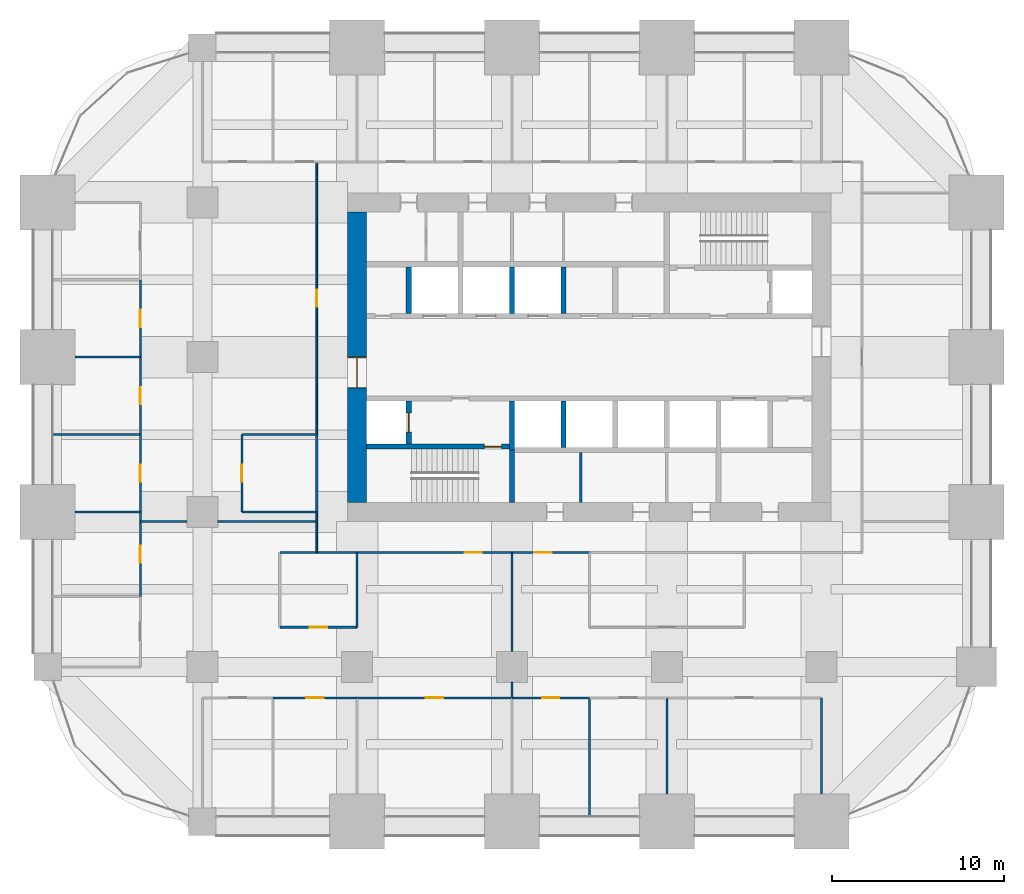
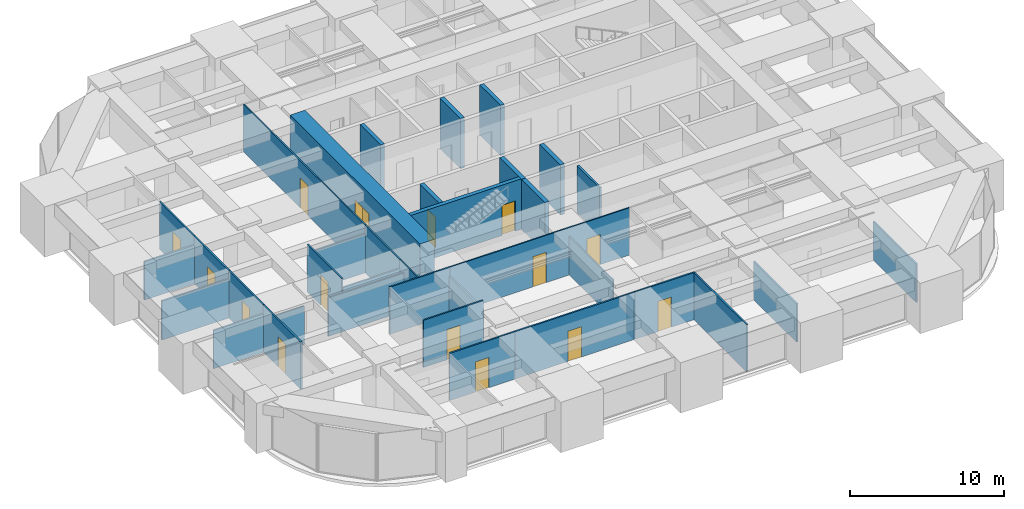
# One storey, part 31 of 36: 37 walls, 15 doors, 15 openings.
"""IFC4 building model written with IfcOpenShell, lengths in metres."""

from ifc_helpers import new_model, si_unit, direction, frame, frame_2d, origin, place, context, subcontext, project, spatial, rectangle, extrude, material, layer, layer_set, type_object, element, fill, save


model = new_model("IFC4")

# Units and contexts
model_context = context("Model", 3, precision=1e-05, world=origin(), true_north=direction((0.0, 1.0)))
body_context = subcontext(model_context, "Body", "Model", "MODEL_VIEW")
ifc_project = project(units=[si_unit("LENGTHUNIT", "METRE"), si_unit("AREAUNIT", "SQUARE_METRE"), si_unit("VOLUMEUNIT", "CUBIC_METRE"), si_unit("PLANEANGLEUNIT", "RADIAN"), si_unit("MASSUNIT", "GRAM", prefix="KILO")], contexts=[model_context])

# Site, building, storey
site_placement = place(None, origin())
site = spatial("IfcSite", under=ifc_project, at=site_placement, CompositionType="ELEMENT")
building_placement = place(site_placement, origin())
building = spatial("IfcBuilding", under=site, at=building_placement, Name="Zorevar Civic Tower", CompositionType="ELEMENT")
storey_placement = place(building_placement, frame((0.0, 0.0, 166.199951171875)))
storey = spatial("IfcBuildingStorey", under=building, at=storey_placement, Name="L40", CompositionType="ELEMENT", Elevation=166.199951171875)

# Wall, opening, door
ifc_material_1 = material(Name="Concrete C50/60", Category="concrete")
ifc_layer_1 = layer(ifc_material_1, 1.10009765625)
ifc_layer_set_1 = layer_set([ifc_layer_1], Name="Core wall 1100")
wall_type_1 = type_object("IfcWallType", Name="Core wall 1100", PredefinedType="SHEAR", material=ifc_layer_set_1)
wall_1_placement = place(storey_placement, frame((18.0, 35.449951171875, 0.0), z_axis=(0.0, 0.0, 1.0), x_axis=(0.0, -1.0, 0.0)))
wall_1 = element("IfcWall", 1, at=wall_1_placement, inside=storey, type_object=wall_type_1, Name="Core wall W L40", PredefinedType="SHEAR", context=body_context, shape_type="SweptSolid", body=[
    extrude(rectangle(XDim=16.89990234375, YDim=1.10009765625, at=frame_2d((8.449951171875, 0.0))), origin(), (0.0, 0.0, 1.0), 4.0),
])
opening_1_placement = place(wall_1_placement, frame((8.449951171875, 0.0, 0.0)))
opening_1 = element("IfcOpeningElement", 2, at=opening_1_placement, cuts=wall_1, Name="Opening L40.01", PredefinedType="OPENING", context=body_context, shape_type="SweptSolid", body=[
    extrude(rectangle(XDim=1.800048828125, YDim=2.39990234375, at=frame_2d((0.89990234375, 1.199951171875))), frame((0.0, 0.56005859375, 0.0), z_axis=(0.0, -1.0, 0.0), x_axis=(1.0, 0.0, 0.0)), (0.0, 0.0, 1.0), 1.1201171875),
])
ifc_material_2 = material(Name="Steel door set", Category="steel")
door_type_1 = type_object("IfcDoorType", Name="Fire door FD2 1800x2400", OperationType="DOUBLE_DOOR_DOUBLE_SWING", PredefinedType="DOOR", material=ifc_material_2)
door_1_placement = place(opening_1_placement, origin())
door_1 = element("IfcDoor", 3, at=door_1_placement, inside=storey, type_object=door_type_1, Name="Door L40 00", OperationType="DOUBLE_DOOR_DOUBLE_SWING", OverallHeight=2.39990234375, OverallWidth=1.800048828125, PredefinedType="DOOR", context=body_context, shape_type="SweptSolid", body=[
    extrude(rectangle(XDim=1.800048828125, YDim=2.39990234375, at=frame_2d((0.89990234375, 1.199951171875))), frame((0.0, 0.030029296875, 0.0), z_axis=(0.0, -1.0, 0.0), x_axis=(1.0, 0.0, 0.0)), (0.0, 0.0, 1.0), 0.06005859375),
    extrude(rectangle(XDim=0.04, YDim=2.39990234375, at=frame_2d((0.02001953125, 1.199951171875))), frame((0.0, 0.5498046875, 0.0), z_axis=(0.0, -1.0, 0.0), x_axis=(1.0, 0.0, 0.0)), (0.0, 0.0, 1.0), 1.099609375),
    extrude(rectangle(XDim=0.04, YDim=2.39990234375, at=frame_2d((1.780029296875, 1.199951171875))), frame((0.0, 0.5498046875, 0.0), z_axis=(0.0, -1.0, 0.0), x_axis=(1.0, 0.0, 0.0)), (0.0, 0.0, 1.0), 1.099609375),
    extrude(rectangle(XDim=1.800048828125, YDim=0.04, at=frame_2d((0.89990234375, 2.3798828125))), frame((0.0, 0.5498046875, 0.0), z_axis=(0.0, -1.0, 0.0), x_axis=(1.0, 0.0, 0.0)), (0.0, 0.0, 1.0), 1.099609375),
])
fill(opening_1, door_1)

# Wall, openings, doors
ifc_material_3 = material(Name="Laminated glass in black aluminium frame", Category="aluminium")
ifc_layer_2 = layer(ifc_material_3, 0.10009765625)
ifc_layer_set_2 = layer_set([ifc_layer_2], Name="Glazed partition 100")
wall_type_2 = type_object("IfcWallType", Name="Glazed partition 100", PredefinedType="PARTITIONING", material=ifc_layer_set_2)
wall_2_placement = place(storey_placement, frame((18.0, 15.64990234375, 0.0), z_axis=(0.0, 0.0, 1.0), x_axis=(1.0, 0.0, 0.0)))
wall_2 = element("IfcWall", 4, at=wall_2_placement, inside=storey, type_object=wall_type_2, Name="Glazed partition 100 L40", PredefinedType="PARTITIONING", context=body_context, shape_type="SweptSolid", body=[
    extrude(rectangle(XDim=13.5, YDim=0.10009765625, at=frame_2d((6.75, 0.0))), origin(), (0.0, 0.0, 1.0), 3.75),
])
opening_2_placement = place(wall_2_placement, frame((6.25, 0.0, 0.0)))
opening_2 = element("IfcOpeningElement", 5, at=opening_2_placement, cuts=wall_2, Name="Opening L40.25", PredefinedType="OPENING", context=body_context, shape_type="SweptSolid", body=[
    extrude(rectangle(XDim=1.0, YDim=2.39990234375, at=frame_2d((0.5, 1.199951171875))), frame((0.0, 0.06005859375, 0.0), z_axis=(0.0, -1.0, 0.0), x_axis=(1.0, 0.0, 0.0)), (0.0, 0.0, 1.0), 0.1201171875),
])
opening_3_placement = place(wall_2_placement, frame((10.300048828125, 0.0, 0.0)))
opening_3 = element("IfcOpeningElement", 6, at=opening_3_placement, cuts=wall_2, Name="Opening L40.26", PredefinedType="OPENING", context=body_context, shape_type="SweptSolid", body=[
    extrude(rectangle(XDim=1.0, YDim=2.39990234375, at=frame_2d((0.5, 1.199951171875))), frame((0.0, 0.06005859375, 0.0), z_axis=(0.0, -1.0, 0.0), x_axis=(1.0, 0.0, 0.0)), (0.0, 0.0, 1.0), 0.1201171875),
])
ifc_material_4 = material(Name="Timber door set", Category="wood")
door_type_2 = type_object("IfcDoorType", Name="Glazed door GD1 1000x2400", OperationType="SINGLE_SWING_LEFT", PredefinedType="DOOR", material=ifc_material_4)
door_2_placement = place(opening_2_placement, origin())
door_2 = element("IfcDoor", 7, at=door_2_placement, inside=storey, type_object=door_type_2, Name="Door L40 D1", OperationType="SINGLE_SWING_RIGHT", OverallHeight=2.39990234375, OverallWidth=1.0, PredefinedType="DOOR", context=body_context, shape_type="SweptSolid", body=[
    extrude(rectangle(XDim=1.0, YDim=2.39990234375, at=frame_2d((0.5, 1.199951171875))), frame((0.0, 0.02001953125, 0.0), z_axis=(0.0, -1.0, 0.0), x_axis=(1.0, 0.0, 0.0)), (0.0, 0.0, 1.0), 0.0400390625),
])
fill(opening_2, door_2)
door_3_placement = place(opening_3_placement, origin())
door_3 = element("IfcDoor", 8, at=door_3_placement, inside=storey, type_object=door_type_2, Name="Door L40 D2", OperationType="SINGLE_SWING_RIGHT", OverallHeight=2.39990234375, OverallWidth=1.0, PredefinedType="DOOR", context=body_context, shape_type="SweptSolid", body=[
    extrude(rectangle(XDim=1.0, YDim=2.39990234375, at=frame_2d((0.5, 1.199951171875))), frame((0.0, 0.02001953125, 0.0), z_axis=(0.0, -1.0, 0.0), x_axis=(1.0, 0.0, 0.0)), (0.0, 0.0, 1.0), 0.0400390625),
])
fill(opening_3, door_3)

# Walls
wall_3_placement = place(storey_placement, frame((5.389892578125, 17.449951171875, 0.0), z_axis=(0.0, 0.0, 1.0), x_axis=(1.0, 0.0, 0.0)))
element("IfcWall", 9, at=wall_3_placement, inside=storey, type_object=wall_type_2, Name="Glazed partition 100 L40", PredefinedType="PARTITIONING", context=body_context, shape_type="SweptSolid", body=[
    extrude(rectangle(XDim=2.710205078125, YDim=0.10009765625, at=frame_2d((1.35498046875, 0.0))), origin(), (0.0, 0.0, 1.0), 3.050048828125),
])
wall_4_placement = place(storey_placement, frame((9.89990234375, 17.449951171875, 0.0), z_axis=(0.0, 0.0, 1.0), x_axis=(1.0, 0.0, 0.0)))
element("IfcWall", 10, at=wall_4_placement, inside=storey, type_object=wall_type_2, Name="Glazed partition 100 L40", PredefinedType="PARTITIONING", context=body_context, shape_type="SweptSolid", body=[
    extrude(rectangle(XDim=5.75, YDim=0.10009765625, at=frame_2d((2.875, 0.0))), origin(), (0.0, 0.0, 1.0), 3.050048828125),
])
wall_5_placement = place(storey_placement, frame((15.64990234375, 15.64990234375, 0.0), z_axis=(0.0, 0.0, 1.0), x_axis=(0.0, 1.0, 0.0)))
element("IfcWall", 11, at=wall_5_placement, inside=storey, type_object=wall_type_2, Name="Glazed partition 100 L40", PredefinedType="PARTITIONING", context=body_context, shape_type="SweptSolid", body=[
    extrude(rectangle(XDim=2.35009765625, YDim=0.10009765625, at=frame_2d((1.175048828125, 0.0))), origin(), (0.0, 0.0, 1.0), 3.75),
])

# Wall, opening, door
wall_6_placement = place(storey_placement, frame((15.64990234375, 22.5, 0.0), z_axis=(0.0, 0.0, 1.0), x_axis=(0.0, 1.0, 0.0)))
wall_6 = element("IfcWall", 12, at=wall_6_placement, inside=storey, type_object=wall_type_2, Name="Glazed partition 100 L40", PredefinedType="PARTITIONING", context=body_context, shape_type="SweptSolid", body=[
    extrude(rectangle(XDim=15.85009765625, YDim=0.10009765625, at=frame_2d((7.925048828125, 0.0))), origin(), (0.0, 0.0, 1.0), 3.75),
])
opening_4_placement = place(wall_6_placement, frame((7.425048828125, 0.0, 0.0)))
opening_4 = element("IfcOpeningElement", 13, at=opening_4_placement, cuts=wall_6, Name="Opening L40.43", PredefinedType="OPENING", context=body_context, shape_type="SweptSolid", body=[
    extrude(rectangle(XDim=1.0, YDim=2.39990234375, at=frame_2d((0.5, 1.199951171875))), frame((0.0, 0.06005859375, 0.0), z_axis=(0.0, -1.0, 0.0), x_axis=(1.0, 0.0, 0.0)), (0.0, 0.0, 1.0), 0.1201171875),
])
door_4_placement = place(opening_4_placement, origin())
door_4 = element("IfcDoor", 14, at=door_4_placement, inside=storey, type_object=door_type_2, Name="Door L40 D1", OperationType="SINGLE_SWING_RIGHT", OverallHeight=2.39990234375, OverallWidth=1.0, PredefinedType="DOOR", context=body_context, shape_type="SweptSolid", body=[
    extrude(rectangle(XDim=1.0, YDim=2.39990234375, at=frame_2d((0.5, 1.199951171875))), frame((0.0, 0.02001953125, 0.0), z_axis=(0.0, -1.0, 0.0), x_axis=(1.0, 0.0, 0.0)), (0.0, 0.0, 1.0), 0.0400390625),
])
fill(opening_4, door_4)

# Walls
wall_7_placement = place(storey_placement, frame((27.0, 7.199951171875, 0.0), z_axis=(0.0, 0.0, 1.0), x_axis=(0.0, 1.0, 0.0)))
element("IfcWall", 15, at=wall_7_placement, inside=storey, type_object=wall_type_2, Name="Glazed partition 100 L40", PredefinedType="PARTITIONING", context=body_context, shape_type="SweptSolid", body=[
    extrude(rectangle(XDim=0.900146484375, YDim=0.10009765625, at=frame_2d((0.4501953125, 0.0))), origin(), (0.0, 0.0, 1.0), 3.050048828125),
])
wall_8_placement = place(storey_placement, frame((27.0, 9.89990234375, 0.0), z_axis=(0.0, 0.0, 1.0), x_axis=(0.0, 1.0, 0.0)))
element("IfcWall", 16, at=wall_8_placement, inside=storey, type_object=wall_type_2, Name="Glazed partition 100 L40", PredefinedType="PARTITIONING", context=body_context, shape_type="SweptSolid", body=[
    extrude(rectangle(XDim=5.75, YDim=0.10009765625, at=frame_2d((2.875, 0.0))), origin(), (0.0, 0.0, 1.0), 3.050048828125),
])

# Wall, opening, door
ifc_material_5 = material(Name="Concrete C40/50", Category="concrete")
ifc_layer_3 = layer(ifc_material_5, 0.300048828125)
ifc_layer_set_3 = layer_set([ifc_layer_3], Name="Inner core wall 300")
wall_type_3 = type_object("IfcWallType", Name="Inner core wall 300", PredefinedType="SHEAR", material=ifc_layer_set_3)
wall_9_placement = place(storey_placement, frame((18.550048828125, 21.800048828125, 0.0), z_axis=(0.0, 0.0, 1.0), x_axis=(1.0, 0.0, 0.0)))
wall_9 = element("IfcWall", 17, at=wall_9_placement, inside=storey, type_object=wall_type_3, Name="Inner core wall S00 L40", PredefinedType="SHEAR", context=body_context, shape_type="SweptSolid", body=[
    extrude(rectangle(XDim=8.300048828125, YDim=0.300048828125, at=frame_2d((4.14990234375, 0.0))), origin(), (0.0, 0.0, 1.0), 4.0),
])
opening_5_placement = place(wall_9_placement, frame((6.85009765625, 0.0, 0.0)))
opening_5 = element("IfcOpeningElement", 18, at=opening_5_placement, cuts=wall_9, Name="Opening L40.11", PredefinedType="OPENING", context=body_context, shape_type="SweptSolid", body=[
    extrude(rectangle(XDim=1.0, YDim=2.39990234375, at=frame_2d((0.5, 1.199951171875))), frame((0.0, 0.159912109375, 0.0), z_axis=(0.0, -1.0, 0.0), x_axis=(1.0, 0.0, 0.0)), (0.0, 0.0, 1.0), 0.320068359375),
])
ifc_material_6 = material(Name="Steel door set", Category="steel")
door_type_3 = type_object("IfcDoorType", Name="Fire door FD1 1000x2400", OperationType="SINGLE_SWING_LEFT", PredefinedType="DOOR", material=ifc_material_6)
door_5_placement = place(opening_5_placement, origin())
door_5 = element("IfcDoor", 19, at=door_5_placement, inside=storey, type_object=door_type_3, Name="Door L40 10", OperationType="SINGLE_SWING_RIGHT", OverallHeight=2.39990234375, OverallWidth=1.0, PredefinedType="DOOR", context=body_context, shape_type="SweptSolid", body=[
    extrude(rectangle(XDim=1.0, YDim=2.39990234375, at=frame_2d((0.5, 1.199951171875))), frame((0.0, 0.030029296875, 0.0), z_axis=(0.0, -1.0, 0.0), x_axis=(1.0, 0.0, 0.0)), (0.0, 0.0, 1.0), 0.06005859375),
])
fill(opening_5, door_5)

# Wall
wall_10_placement = place(storey_placement, frame((27.0, 18.550048828125, 0.0), z_axis=(0.0, 0.0, 1.0), x_axis=(0.0, 1.0, 0.0)))
element("IfcWall", 20, at=wall_10_placement, inside=storey, type_object=wall_type_3, Name="Inner core wall S01 L40", PredefinedType="SHEAR", context=body_context, shape_type="SweptSolid", body=[
    extrude(rectangle(XDim=3.050048828125, YDim=0.300048828125, at=frame_2d((1.52490234375, 0.0))), origin(), (0.0, 0.0, 1.0), 4.0),
])

# Wall, opening, door
wall_11_placement = place(storey_placement, frame((21.0, 21.949951171875, 0.0), z_axis=(0.0, 0.0, 1.0), x_axis=(0.0, 1.0, 0.0)))
wall_11 = element("IfcWall", 21, at=wall_11_placement, inside=storey, type_object=wall_type_3, Name="Inner core wall S02 L40", PredefinedType="SHEAR", context=body_context, shape_type="SweptSolid", body=[
    extrude(rectangle(XDim=2.5, YDim=0.300048828125, at=frame_2d((1.25, 0.0))), origin(), (0.0, 0.0, 1.0), 4.0),
])
opening_6_placement = place(wall_11_placement, frame((0.699951171875, 0.0, 0.0)))
opening_6 = element("IfcOpeningElement", 22, at=opening_6_placement, cuts=wall_11, Name="Opening L40.FL1", PredefinedType="OPENING", context=body_context, shape_type="SweptSolid", body=[
    extrude(rectangle(XDim=1.10009765625, YDim=2.39990234375, at=frame_2d((0.550048828125, 1.199951171875))), frame((0.0, 0.159912109375, 0.0), z_axis=(0.0, -1.0, 0.0), x_axis=(1.0, 0.0, 0.0)), (0.0, 0.0, 1.0), 0.320068359375),
])
ifc_material_7 = material(Name="Steel door set", Category="steel")
door_type_4 = type_object("IfcDoorType", Name="Firefighting lift landing door LD3 1100x2400", OperationType="DOUBLE_DOOR_SLIDING", PredefinedType="DOOR", material=ifc_material_7)
door_6_placement = place(opening_6_placement, origin())
door_6 = element("IfcDoor", 23, at=door_6_placement, inside=storey, type_object=door_type_4, Name="Landing door FL1 L40", OperationType="DOUBLE_DOOR_SLIDING", OverallHeight=2.39990234375, OverallWidth=1.10009765625, PredefinedType="DOOR", context=body_context, shape_type="SweptSolid", body=[
    extrude(rectangle(XDim=1.10009765625, YDim=2.39990234375, at=frame_2d((0.550048828125, 1.199951171875))), frame((0.0, 0.030029296875, 0.0), z_axis=(0.0, -1.0, 0.0), x_axis=(1.0, 0.0, 0.0)), (0.0, 0.0, 1.0), 0.06005859375),
])
fill(opening_6, door_6)

# Walls
for number, where, z_axis, x_axis, name in (
    (24, (30.0, 21.75, 0.0), (0.0, 0.0, 1.0), (0.0, 1.0, 0.0), "Inner core wall S05 L40"),
    (25, (30.0, 29.550048828125, 0.0), (0.0, 0.0, 1.0), (0.0, 1.0, 0.0), "Inner core wall N06 L40"),
    (26, (27.0, 29.550048828125, 0.0), (0.0, 0.0, 1.0), (0.0, 1.0, 0.0), "Inner core wall N07 L40"),
    (27, (21.0, 29.550048828125, 0.0), (0.0, 0.0, 1.0), (0.0, 1.0, 0.0), "Inner core wall N09 L40"),
):
    element("IfcWall", number, at=place(storey_placement, frame(where, z_axis=z_axis, x_axis=x_axis)), inside=storey, type_object=wall_type_3, Name=name, PredefinedType="SHEAR", context=body_context, shape_type="SweptSolid", body=[
        extrude(rectangle(XDim=2.699951171875, YDim=0.300048828125, at=frame_2d((1.35009765625, 0.0))), origin(), (0.0, 0.0, 1.0), 4.0),
    ])
wall_12_placement = place(storey_placement, frame((27.0, 21.60009765625, 0.0), z_axis=(0.0, 0.0, 1.0), x_axis=(0.0, 1.0, 0.0)))
element("IfcWall", 28, at=wall_12_placement, inside=storey, type_object=wall_type_3, Name="Inner core wall S10 L40", PredefinedType="SHEAR", context=body_context, shape_type="SweptSolid", body=[
    extrude(rectangle(XDim=2.849853515625, YDim=0.300048828125, at=frame_2d((1.4248046875, 0.0))), origin(), (0.0, 0.0, 1.0), 4.0),
])

# Wall, opening, door
ifc_material_8 = material(Name="Gypsum board on steel studs", Category="steel")
ifc_layer_4 = layer(ifc_material_8, 0.1201171875)
ifc_layer_set_4 = layer_set([ifc_layer_4], Name="Partition 120")
wall_type_4 = type_object("IfcWallType", Name="Partition 120", PredefinedType="PARTITIONING", material=ifc_layer_set_4)
wall_13_placement = place(storey_placement, frame((13.10009765625, 7.199951171875, 0.0), z_axis=(0.0, 0.0, 1.0), x_axis=(1.0, 0.0, 0.0)))
wall_13 = element("IfcWall", 29, at=wall_13_placement, inside=storey, type_object=wall_type_4, Name="Partition 120 L40", PredefinedType="PARTITIONING", context=body_context, shape_type="SweptSolid", body=[
    extrude(rectangle(XDim=4.89990234375, YDim=0.1201171875, at=frame_2d((2.449951171875, 0.0))), origin(), (0.0, 0.0, 1.0), 3.75),
])
opening_7_placement = place(wall_13_placement, frame((1.949951171875, 0.0, 0.0)))
opening_7 = element("IfcOpeningElement", 30, at=opening_7_placement, cuts=wall_13, Name="Opening L40.18", PredefinedType="OPENING", context=body_context, shape_type="SweptSolid", body=[
    extrude(rectangle(XDim=1.0, YDim=2.39990234375, at=frame_2d((0.5, 1.199951171875))), frame((0.0, 0.070068359375, 0.0), z_axis=(0.0, -1.0, 0.0), x_axis=(1.0, 0.0, 0.0)), (0.0, 0.0, 1.0), 0.14013671875),
])
ifc_material_9 = material(Name="Timber door set", Category="wood")
door_type_5 = type_object("IfcDoorType", Name="Door D1 1000x2400", OperationType="SINGLE_SWING_LEFT", PredefinedType="DOOR", material=ifc_material_9)
door_7_placement = place(opening_7_placement, origin())
door_7 = element("IfcDoor", 31, at=door_7_placement, inside=storey, type_object=door_type_5, Name="Door L40 D1", OperationType="SINGLE_SWING_LEFT", OverallHeight=2.39990234375, OverallWidth=1.0, PredefinedType="DOOR", context=body_context, shape_type="SweptSolid", body=[
    extrude(rectangle(XDim=1.0, YDim=2.39990234375, at=frame_2d((0.5, 1.199951171875))), frame((0.0, 0.02490234375, 0.0), z_axis=(0.0, -1.0, 0.0), x_axis=(1.0, 0.0, 0.0)), (0.0, 0.0, 1.0), 0.050048828125),
])
fill(opening_7, door_7)

wall_14_placement = place(storey_placement, frame((18.0, 7.199951171875, 0.0), z_axis=(0.0, 0.0, 1.0), x_axis=(1.0, 0.0, 0.0)))
wall_14 = element("IfcWall", 32, at=wall_14_placement, inside=storey, type_object=wall_type_4, Name="Partition 120 L40", PredefinedType="PARTITIONING", context=body_context, shape_type="SweptSolid", body=[
    extrude(rectangle(XDim=9.0, YDim=0.1201171875, at=frame_2d((4.5, 0.0))), origin(), (0.0, 0.0, 1.0), 3.75),
])
opening_8_placement = place(wall_14_placement, frame((4.0, 0.0, 0.0)))
opening_8 = element("IfcOpeningElement", 33, at=opening_8_placement, cuts=wall_14, Name="Opening L40.19", PredefinedType="OPENING", context=body_context, shape_type="SweptSolid", body=[
    extrude(rectangle(XDim=1.0, YDim=2.39990234375, at=frame_2d((0.5, 1.199951171875))), frame((0.0, 0.070068359375, 0.0), z_axis=(0.0, -1.0, 0.0), x_axis=(1.0, 0.0, 0.0)), (0.0, 0.0, 1.0), 0.14013671875),
])
door_8_placement = place(opening_8_placement, origin())
door_8 = element("IfcDoor", 34, at=door_8_placement, inside=storey, type_object=door_type_5, Name="Door L40 D1", OperationType="SINGLE_SWING_LEFT", OverallHeight=2.39990234375, OverallWidth=1.0, PredefinedType="DOOR", context=body_context, shape_type="SweptSolid", body=[
    extrude(rectangle(XDim=1.0, YDim=2.39990234375, at=frame_2d((0.5, 1.199951171875))), frame((0.0, 0.02490234375, 0.0), z_axis=(0.0, -1.0, 0.0), x_axis=(1.0, 0.0, 0.0)), (0.0, 0.0, 1.0), 0.050048828125),
])
fill(opening_8, door_8)

wall_15_placement = place(storey_placement, frame((27.0, 7.199951171875, 0.0), z_axis=(0.0, 0.0, 1.0), x_axis=(1.0, 0.0, 0.0)))
wall_15 = element("IfcWall", 35, at=wall_15_placement, inside=storey, type_object=wall_type_4, Name="Partition 120 L40", PredefinedType="PARTITIONING", context=body_context, shape_type="SweptSolid", body=[
    extrude(rectangle(XDim=4.5, YDim=0.1201171875, at=frame_2d((2.25, 0.0))), origin(), (0.0, 0.0, 1.0), 3.75),
])
opening_9_placement = place(wall_15_placement, frame((1.75, 0.0, 0.0)))
opening_9 = element("IfcOpeningElement", 36, at=opening_9_placement, cuts=wall_15, Name="Opening L40.20", PredefinedType="OPENING", context=body_context, shape_type="SweptSolid", body=[
    extrude(rectangle(XDim=1.0, YDim=2.39990234375, at=frame_2d((0.5, 1.199951171875))), frame((0.0, 0.070068359375, 0.0), z_axis=(0.0, -1.0, 0.0), x_axis=(1.0, 0.0, 0.0)), (0.0, 0.0, 1.0), 0.14013671875),
])
door_9_placement = place(opening_9_placement, origin())
door_9 = element("IfcDoor", 37, at=door_9_placement, inside=storey, type_object=door_type_5, Name="Door L40 D1", OperationType="SINGLE_SWING_RIGHT", OverallHeight=2.39990234375, OverallWidth=1.0, PredefinedType="DOOR", context=body_context, shape_type="SweptSolid", body=[
    extrude(rectangle(XDim=1.0, YDim=2.39990234375, at=frame_2d((0.5, 1.199951171875))), frame((0.0, 0.02490234375, 0.0), z_axis=(0.0, -1.0, 0.0), x_axis=(1.0, 0.0, 0.0)), (0.0, 0.0, 1.0), 0.050048828125),
])
fill(opening_9, door_9)

wall_16_placement = place(storey_placement, frame((13.5, 11.300048828125, 0.0), z_axis=(0.0, 0.0, 1.0), x_axis=(1.0, 0.0, 0.0)))
wall_16 = element("IfcWall", 38, at=wall_16_placement, inside=storey, type_object=wall_type_4, Name="Partition 120 L40", PredefinedType="PARTITIONING", context=body_context, shape_type="SweptSolid", body=[
    extrude(rectangle(XDim=4.5, YDim=0.1201171875, at=frame_2d((2.25, 0.0))), origin(), (0.0, 0.0, 1.0), 3.75),
])
opening_10_placement = place(wall_16_placement, frame((1.75, 0.0, 0.0)))
opening_10 = element("IfcOpeningElement", 39, at=opening_10_placement, cuts=wall_16, Name="Opening L40.23", PredefinedType="OPENING", context=body_context, shape_type="SweptSolid", body=[
    extrude(rectangle(XDim=1.0, YDim=2.39990234375, at=frame_2d((0.5, 1.199951171875))), frame((0.0, 0.070068359375, 0.0), z_axis=(0.0, -1.0, 0.0), x_axis=(1.0, 0.0, 0.0)), (0.0, 0.0, 1.0), 0.14013671875),
])
door_10_placement = place(opening_10_placement, origin())
door_10 = element("IfcDoor", 40, at=door_10_placement, inside=storey, type_object=door_type_5, Name="Door L40 D1", OperationType="SINGLE_SWING_LEFT", OverallHeight=2.39990234375, OverallWidth=1.0, PredefinedType="DOOR", context=body_context, shape_type="SweptSolid", body=[
    extrude(rectangle(XDim=1.0, YDim=2.39990234375, at=frame_2d((0.5, 1.199951171875))), frame((0.0, 0.02490234375, 0.0), z_axis=(0.0, -1.0, 0.0), x_axis=(1.0, 0.0, 0.0)), (0.0, 0.0, 1.0), 0.050048828125),
])
fill(opening_10, door_10)

# Walls
wall_17_placement = place(storey_placement, frame((13.5, 15.64990234375, 0.0), z_axis=(0.0, 0.0, 1.0), x_axis=(1.0, 0.0, 0.0)))
element("IfcWall", 41, at=wall_17_placement, inside=storey, type_object=wall_type_4, Name="Partition 120 L40", PredefinedType="PARTITIONING", context=body_context, shape_type="SweptSolid", body=[
    extrude(rectangle(XDim=4.5, YDim=0.1201171875, at=frame_2d((2.25, 0.0))), origin(), (0.0, 0.0, 1.0), 3.75),
])
wall_18_placement = place(storey_placement, frame((1.60009765625, 18.0, 0.0), z_axis=(0.0, 0.0, 1.0), x_axis=(1.0, 0.0, 0.0)))
element("IfcWall", 42, at=wall_18_placement, inside=storey, type_object=wall_type_4, Name="Partition 120 L40", PredefinedType="PARTITIONING", context=body_context, shape_type="SweptSolid", body=[
    extrude(rectangle(XDim=3.7998046875, YDim=0.1201171875, at=frame_2d((1.89990234375, 0.0))), origin(), (0.0, 0.0, 1.0), 3.050048828125),
])
wall_19_placement = place(storey_placement, frame((11.300048828125, 18.0, 0.0), z_axis=(0.0, 0.0, 1.0), x_axis=(1.0, 0.0, 0.0)))
element("IfcWall", 43, at=wall_19_placement, inside=storey, type_object=wall_type_4, Name="Partition 120 L40", PredefinedType="PARTITIONING", context=body_context, shape_type="SweptSolid", body=[
    extrude(rectangle(XDim=4.349853515625, YDim=0.1201171875, at=frame_2d((2.1748046875, 0.0))), origin(), (0.0, 0.0, 1.0), 3.050048828125),
])
wall_20_placement = place(storey_placement, frame((0.31005859375, 22.5, 0.0), z_axis=(0.0, 0.0, 1.0), x_axis=(1.0, 0.0, 0.0)))
element("IfcWall", 44, at=wall_20_placement, inside=storey, type_object=wall_type_4, Name="Partition 120 L40", PredefinedType="PARTITIONING", context=body_context, shape_type="SweptSolid", body=[
    extrude(rectangle(XDim=5.08984375, YDim=0.1201171875, at=frame_2d((2.544921875, 0.0))), origin(), (0.0, 0.0, 1.0), 3.10009765625),
])
wall_21_placement = place(storey_placement, frame((11.300048828125, 22.5, 0.0), z_axis=(0.0, 0.0, 1.0), x_axis=(1.0, 0.0, 0.0)))
element("IfcWall", 45, at=wall_21_placement, inside=storey, type_object=wall_type_4, Name="Partition 120 L40", PredefinedType="PARTITIONING", context=body_context, shape_type="SweptSolid", body=[
    extrude(rectangle(XDim=4.349853515625, YDim=0.1201171875, at=frame_2d((2.1748046875, 0.0))), origin(), (0.0, 0.0, 1.0), 3.10009765625),
])
wall_22_placement = place(storey_placement, frame((1.60009765625, 27.0, 0.0), z_axis=(0.0, 0.0, 1.0), x_axis=(1.0, 0.0, 0.0)))
element("IfcWall", 46, at=wall_22_placement, inside=storey, type_object=wall_type_4, Name="Partition 120 L40", PredefinedType="PARTITIONING", context=body_context, shape_type="SweptSolid", body=[
    extrude(rectangle(XDim=3.7998046875, YDim=0.1201171875, at=frame_2d((1.89990234375, 0.0))), origin(), (0.0, 0.0, 1.0), 3.050048828125),
])

# Wall, opening, door
wall_23_placement = place(storey_placement, frame((5.39990234375, 13.10009765625, 0.0), z_axis=(0.0, 0.0, 1.0), x_axis=(0.0, 1.0, 0.0)))
wall_23 = element("IfcWall", 47, at=wall_23_placement, inside=storey, type_object=wall_type_4, Name="Partition 120 L40", PredefinedType="PARTITIONING", context=body_context, shape_type="SweptSolid", body=[
    extrude(rectangle(XDim=4.89990234375, YDim=0.1201171875, at=frame_2d((2.449951171875, 0.0))), origin(), (0.0, 0.0, 1.0), 3.75),
])
opening_11_placement = place(wall_23_placement, frame((1.949951171875, 0.0, 0.0)))
opening_11 = element("IfcOpeningElement", 48, at=opening_11_placement, cuts=wall_23, Name="Opening L40.37", PredefinedType="OPENING", context=body_context, shape_type="SweptSolid", body=[
    extrude(rectangle(XDim=1.0, YDim=2.39990234375, at=frame_2d((0.5, 1.199951171875))), frame((0.0, 0.070068359375, 0.0), z_axis=(0.0, -1.0, 0.0), x_axis=(1.0, 0.0, 0.0)), (0.0, 0.0, 1.0), 0.14013671875),
])
door_11_placement = place(opening_11_placement, origin())
door_11 = element("IfcDoor", 49, at=door_11_placement, inside=storey, type_object=door_type_5, Name="Door L40 D1", OperationType="SINGLE_SWING_RIGHT", OverallHeight=2.39990234375, OverallWidth=1.0, PredefinedType="DOOR", context=body_context, shape_type="SweptSolid", body=[
    extrude(rectangle(XDim=1.0, YDim=2.39990234375, at=frame_2d((0.5, 1.199951171875))), frame((0.0, 0.02490234375, 0.0), z_axis=(0.0, -1.0, 0.0), x_axis=(1.0, 0.0, 0.0)), (0.0, 0.0, 1.0), 0.050048828125),
])
fill(opening_11, door_11)

wall_24_placement = place(storey_placement, frame((5.39990234375, 18.0, 0.0), z_axis=(0.0, 0.0, 1.0), x_axis=(0.0, 1.0, 0.0)))
wall_24 = element("IfcWall", 50, at=wall_24_placement, inside=storey, type_object=wall_type_4, Name="Partition 120 L40", PredefinedType="PARTITIONING", context=body_context, shape_type="SweptSolid", body=[
    extrude(rectangle(XDim=4.5, YDim=0.1201171875, at=frame_2d((2.25, 0.0))), origin(), (0.0, 0.0, 1.0), 3.75),
])
opening_12_placement = place(wall_24_placement, frame((1.75, 0.0, 0.0)))
opening_12 = element("IfcOpeningElement", 51, at=opening_12_placement, cuts=wall_24, Name="Opening L40.38", PredefinedType="OPENING", context=body_context, shape_type="SweptSolid", body=[
    extrude(rectangle(XDim=1.0, YDim=2.39990234375, at=frame_2d((0.5, 1.199951171875))), frame((0.0, 0.070068359375, 0.0), z_axis=(0.0, -1.0, 0.0), x_axis=(1.0, 0.0, 0.0)), (0.0, 0.0, 1.0), 0.14013671875),
])
door_12_placement = place(opening_12_placement, origin())
door_12 = element("IfcDoor", 52, at=door_12_placement, inside=storey, type_object=door_type_5, Name="Door L40 D1", OperationType="SINGLE_SWING_LEFT", OverallHeight=2.39990234375, OverallWidth=1.0, PredefinedType="DOOR", context=body_context, shape_type="SweptSolid", body=[
    extrude(rectangle(XDim=1.0, YDim=2.39990234375, at=frame_2d((0.5, 1.199951171875))), frame((0.0, 0.02490234375, 0.0), z_axis=(0.0, -1.0, 0.0), x_axis=(1.0, 0.0, 0.0)), (0.0, 0.0, 1.0), 0.050048828125),
])
fill(opening_12, door_12)

wall_25_placement = place(storey_placement, frame((5.39990234375, 22.5, 0.0), z_axis=(0.0, 0.0, 1.0), x_axis=(0.0, 1.0, 0.0)))
wall_25 = element("IfcWall", 53, at=wall_25_placement, inside=storey, type_object=wall_type_4, Name="Partition 120 L40", PredefinedType="PARTITIONING", context=body_context, shape_type="SweptSolid", body=[
    extrude(rectangle(XDim=4.5, YDim=0.1201171875, at=frame_2d((2.25, 0.0))), origin(), (0.0, 0.0, 1.0), 3.75),
])
opening_13_placement = place(wall_25_placement, frame((1.75, 0.0, 0.0)))
opening_13 = element("IfcOpeningElement", 54, at=opening_13_placement, cuts=wall_25, Name="Opening L40.39", PredefinedType="OPENING", context=body_context, shape_type="SweptSolid", body=[
    extrude(rectangle(XDim=1.0, YDim=2.39990234375, at=frame_2d((0.5, 1.199951171875))), frame((0.0, 0.070068359375, 0.0), z_axis=(0.0, -1.0, 0.0), x_axis=(1.0, 0.0, 0.0)), (0.0, 0.0, 1.0), 0.14013671875),
])
door_13_placement = place(opening_13_placement, origin())
door_13 = element("IfcDoor", 55, at=door_13_placement, inside=storey, type_object=door_type_5, Name="Door L40 D1", OperationType="SINGLE_SWING_LEFT", OverallHeight=2.39990234375, OverallWidth=1.0, PredefinedType="DOOR", context=body_context, shape_type="SweptSolid", body=[
    extrude(rectangle(XDim=1.0, YDim=2.39990234375, at=frame_2d((0.5, 1.199951171875))), frame((0.0, 0.02490234375, 0.0), z_axis=(0.0, -1.0, 0.0), x_axis=(1.0, 0.0, 0.0)), (0.0, 0.0, 1.0), 0.050048828125),
])
fill(opening_13, door_13)

wall_26_placement = place(storey_placement, frame((5.39990234375, 27.0, 0.0), z_axis=(0.0, 0.0, 1.0), x_axis=(0.0, 1.0, 0.0)))
wall_26 = element("IfcWall", 56, at=wall_26_placement, inside=storey, type_object=wall_type_4, Name="Partition 120 L40", PredefinedType="PARTITIONING", context=body_context, shape_type="SweptSolid", body=[
    extrude(rectangle(XDim=4.5, YDim=0.1201171875, at=frame_2d((2.25, 0.0))), origin(), (0.0, 0.0, 1.0), 3.75),
])
opening_14_placement = place(wall_26_placement, frame((1.75, 0.0, 0.0)))
opening_14 = element("IfcOpeningElement", 57, at=opening_14_placement, cuts=wall_26, Name="Opening L40.40", PredefinedType="OPENING", context=body_context, shape_type="SweptSolid", body=[
    extrude(rectangle(XDim=1.0, YDim=2.39990234375, at=frame_2d((0.5, 1.199951171875))), frame((0.0, 0.070068359375, 0.0), z_axis=(0.0, -1.0, 0.0), x_axis=(1.0, 0.0, 0.0)), (0.0, 0.0, 1.0), 0.14013671875),
])
door_14_placement = place(opening_14_placement, origin())
door_14 = element("IfcDoor", 58, at=door_14_placement, inside=storey, type_object=door_type_5, Name="Door L40 D1", OperationType="SINGLE_SWING_LEFT", OverallHeight=2.39990234375, OverallWidth=1.0, PredefinedType="DOOR", context=body_context, shape_type="SweptSolid", body=[
    extrude(rectangle(XDim=1.0, YDim=2.39990234375, at=frame_2d((0.5, 1.199951171875))), frame((0.0, 0.02490234375, 0.0), z_axis=(0.0, -1.0, 0.0), x_axis=(1.0, 0.0, 0.0)), (0.0, 0.0, 1.0), 0.050048828125),
])
fill(opening_14, door_14)

wall_27_placement = place(storey_placement, frame((11.300048828125, 18.0, 0.0), z_axis=(0.0, 0.0, 1.0), x_axis=(0.0, 1.0, 0.0)))
wall_27 = element("IfcWall", 59, at=wall_27_placement, inside=storey, type_object=wall_type_4, Name="Partition 120 L40", PredefinedType="PARTITIONING", context=body_context, shape_type="SweptSolid", body=[
    extrude(rectangle(XDim=4.5, YDim=0.1201171875, at=frame_2d((2.25, 0.0))), origin(), (0.0, 0.0, 1.0), 3.75),
])
opening_15_placement = place(wall_27_placement, frame((1.75, 0.0, 0.0)))
opening_15 = element("IfcOpeningElement", 60, at=opening_15_placement, cuts=wall_27, Name="Opening L40.42", PredefinedType="OPENING", context=body_context, shape_type="SweptSolid", body=[
    extrude(rectangle(XDim=1.0, YDim=2.39990234375, at=frame_2d((0.5, 1.199951171875))), frame((0.0, 0.070068359375, 0.0), z_axis=(0.0, -1.0, 0.0), x_axis=(1.0, 0.0, 0.0)), (0.0, 0.0, 1.0), 0.14013671875),
])
door_15_placement = place(opening_15_placement, origin())
door_15 = element("IfcDoor", 61, at=door_15_placement, inside=storey, type_object=door_type_5, Name="Door L40 D1", OperationType="SINGLE_SWING_RIGHT", OverallHeight=2.39990234375, OverallWidth=1.0, PredefinedType="DOOR", context=body_context, shape_type="SweptSolid", body=[
    extrude(rectangle(XDim=1.0, YDim=2.39990234375, at=frame_2d((0.5, 1.199951171875))), frame((0.0, 0.02490234375, 0.0), z_axis=(0.0, -1.0, 0.0), x_axis=(1.0, 0.0, 0.0)), (0.0, 0.0, 1.0), 0.050048828125),
])
fill(opening_15, door_15)

# Walls
wall_28_placement = place(storey_placement, frame((15.64990234375, 18.0, 0.0), z_axis=(0.0, 0.0, 1.0), x_axis=(0.0, 1.0, 0.0)))
element("IfcWall", 62, at=wall_28_placement, inside=storey, type_object=wall_type_4, Name="Partition 120 L40", PredefinedType="PARTITIONING", context=body_context, shape_type="SweptSolid", body=[
    extrude(rectangle(XDim=4.5, YDim=0.1201171875, at=frame_2d((2.25, 0.0))), origin(), (0.0, 0.0, 1.0), 3.75),
])
wall_29_placement = place(storey_placement, frame((18.0, 11.300048828125, 0.0), z_axis=(0.0, 0.0, 1.0), x_axis=(0.0, 1.0, 0.0)))
element("IfcWall", 63, at=wall_29_placement, inside=storey, type_object=wall_type_4, Name="Partition 120 L40", PredefinedType="PARTITIONING", context=body_context, shape_type="SweptSolid", body=[
    extrude(rectangle(XDim=4.349853515625, YDim=0.1201171875, at=frame_2d((2.1748046875, 0.0))), origin(), (0.0, 0.0, 1.0), 3.050048828125),
])
wall_30_placement = place(storey_placement, frame((31.5, 0.31005859375, 0.0), z_axis=(0.0, 0.0, 1.0), x_axis=(0.0, 1.0, 0.0)))
element("IfcWall", 64, at=wall_30_placement, inside=storey, type_object=wall_type_4, Name="Partition 120 L40", PredefinedType="PARTITIONING", context=body_context, shape_type="SweptSolid", body=[
    extrude(rectangle(XDim=6.889892578125, YDim=0.1201171875, at=frame_2d((3.44482421875, 0.0))), origin(), (0.0, 0.0, 1.0), 3.75),
])
for number, where, z_axis, x_axis, name in (
    (65, (36.0, 1.60009765625, 0.0), (0.0, 0.0, 1.0), (0.0, 1.0, 0.0), "Partition 120 L40"),
    (66, (45.0, 1.60009765625, 0.0), (0.0, 0.0, 1.0), (0.0, 1.0, 0.0), "Partition 120 L40"),
):
    element("IfcWall", number, at=place(storey_placement, frame(where, z_axis=z_axis, x_axis=x_axis)), inside=storey, type_object=wall_type_4, Name=name, PredefinedType="PARTITIONING", context=body_context, shape_type="SweptSolid", body=[
        extrude(rectangle(XDim=5.599853515625, YDim=0.1201171875, at=frame_2d((2.7998046875, 0.0))), origin(), (0.0, 0.0, 1.0), 3.050048828125),
    ])
ifc_material_10 = material(Name="Gypsum board on steel studs, moisture resistant", Category="steel")
ifc_layer_5 = layer(ifc_material_10, 0.14990234375)
ifc_layer_set_5 = layer_set([ifc_layer_5], Name="WC partition 150")
wall_type_5 = type_object("IfcWallType", Name="WC partition 150", PredefinedType="PARTITIONING", material=ifc_layer_set_5)
wall_31_placement = place(storey_placement, frame((31.0, 18.550048828125, 0.0), z_axis=(0.0, 0.0, 1.0), x_axis=(0.0, 1.0, 0.0)))
element("IfcWall", 67, at=wall_31_placement, inside=storey, type_object=wall_type_5, Name="WC partition L40", PredefinedType="PARTITIONING", context=body_context, shape_type="SweptSolid", body=[
    extrude(rectangle(XDim=2.89990234375, YDim=0.14990234375, at=frame_2d((1.449951171875, 0.0))), origin(), (0.0, 0.0, 1.0), 3.75),
])

save(model, "model.ifc")
